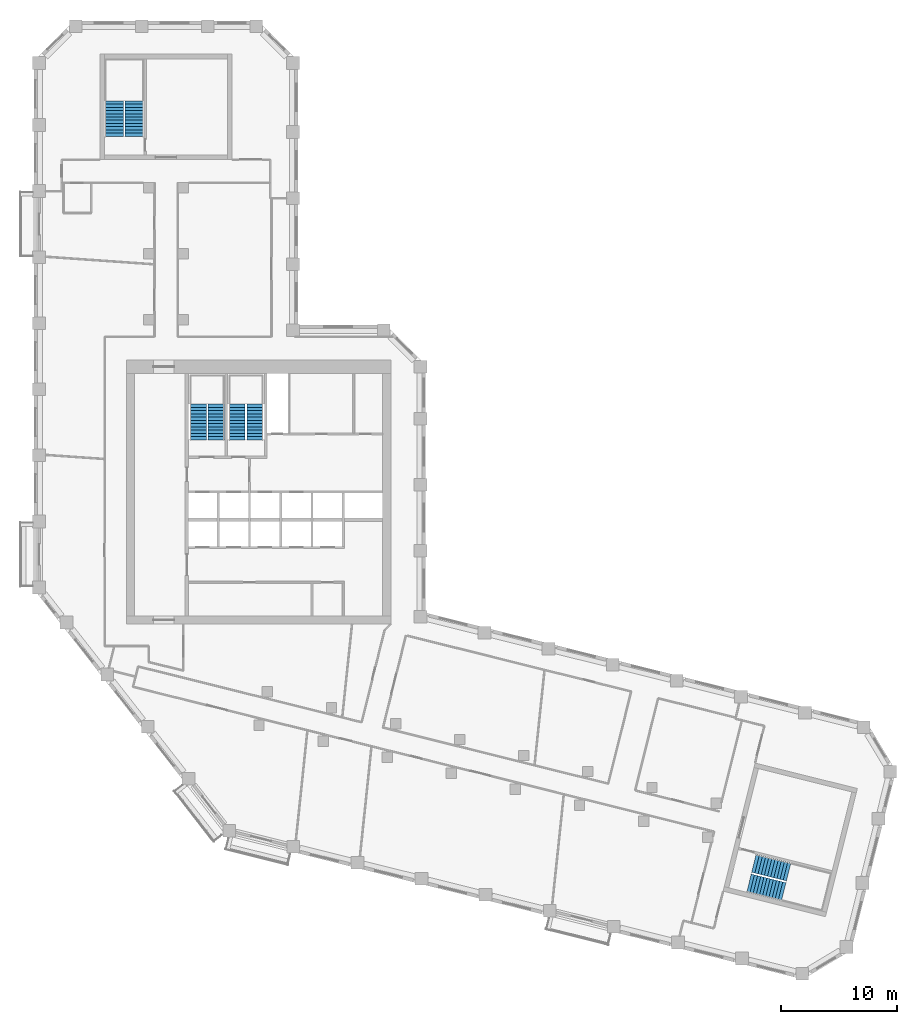
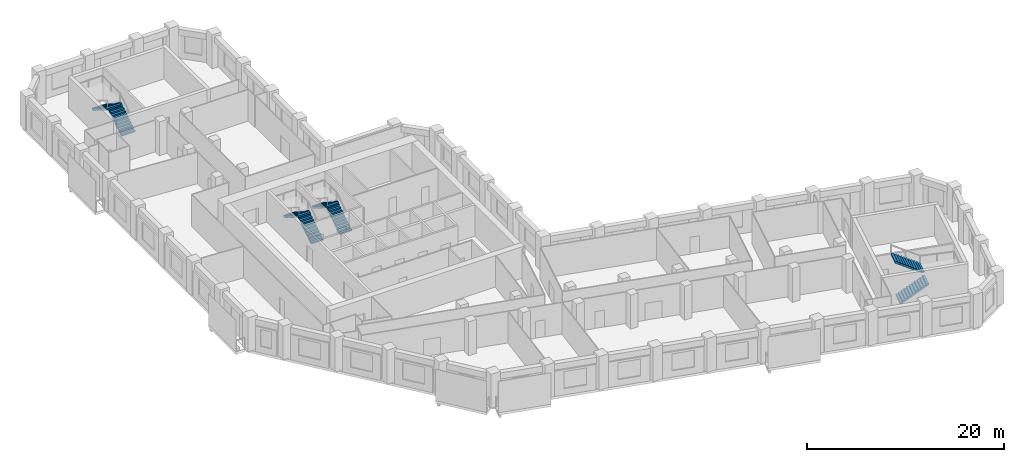
# One storey, part 9 of 10: 8 stair flights, 4 elements without a shape of their own.
"""IFC4 building model written with IfcOpenShell, lengths in metres."""

from ifc_helpers import new_model, si_unit, direction, frame, origin, place, context, subcontext, project, spatial, polyline, outline, extrude, material, type_object, element, aggregate, save


model = new_model("IFC4")

# Units and contexts
model_context = context("Model", 3, precision=1e-05, world=origin(), true_north=direction((0.0, 1.0)))
body_context = subcontext(model_context, "Body", "Model", "MODEL_VIEW")
ifc_project = project(units=[si_unit("LENGTHUNIT", "METRE"), si_unit("AREAUNIT", "SQUARE_METRE"), si_unit("VOLUMEUNIT", "CUBIC_METRE"), si_unit("PLANEANGLEUNIT", "RADIAN"), si_unit("MASSUNIT", "GRAM", prefix="KILO")], contexts=[model_context])

# Site, building, storey
site_placement = place(None, origin())
site = spatial("IfcSite", under=ifc_project, at=site_placement, CompositionType="ELEMENT")
building_placement = place(site_placement, origin())
building = spatial("IfcBuilding", under=site, at=building_placement, Name="Meshkara Civic Tower", CompositionType="ELEMENT")
storey_placement = place(building_placement, frame((0.0, 0.0, 234.0)))
storey = spatial("IfcBuildingStorey", under=building, at=storey_placement, Name="L53", CompositionType="ELEMENT", Elevation=234.0)

# Stair, stair flights
ifc_material_1 = material(Name="Precast concrete C40/50", Category="concrete")
stair_type_1 = type_object("IfcStairType", Name="Exit stair half-turn 24 risers 1600 precast", PredefinedType="HALF_TURN_STAIR", material=ifc_material_1)
stair_1_placement = place(storey_placement, origin())
stair_1 = element("IfcStair", 1, at=stair_1_placement, inside=storey, type_object=stair_type_1, Name="L53 exit stair A from L50", PredefinedType="HALF_TURN_STAIR")
ifc_material_2 = material(Name="Precast concrete C40/50", Category="concrete")
stair_flight_type_1 = type_object("IfcStairFlightType", Name="Exit stair flight 12 risers 1600 precast", PredefinedType="STRAIGHT", material=ifc_material_2)
stair_flight_1_placement = place(storey_placement, frame((8.675048828125, 56.169921875, 0.0), z_axis=(0.0, 0.0, 1.0), x_axis=(0.0, 1.0, 0.0)))
stair_flight_1 = element("IfcStairFlight", 2, at=stair_flight_1_placement, type_object=stair_flight_type_1, Name="ESA4 flight 1", NumberOfRisers=12, NumberOfTreads=11, PredefinedType="STRAIGHT", RiserHeight=0.175, TreadLength=0.28, context=body_context, shape_type="SweptSolid", body=[
    extrude(outline(polyline([(0.0, 0.0), (0.0, 0.175048828125), (0.280029296875, 0.175048828125), (0.280029296875, 0.35009765625), (0.56005859375, 0.35009765625), (0.56005859375, 0.52490234375), (0.840087890625, 0.52490234375), (0.840087890625, 0.699951171875), (1.1201171875, 0.699951171875), (1.1201171875, 0.875), (1.39990234375, 0.875), (1.39990234375, 1.050048828125), (1.679931640625, 1.050048828125), (1.679931640625, 1.22509765625), (1.9599609375, 1.22509765625), (1.9599609375, 1.39990234375), (2.239990234375, 1.39990234375), (2.239990234375, 1.574951171875), (2.52001953125, 1.574951171875), (2.52001953125, 1.75), (2.800048828125, 1.75), (2.800048828125, 1.925048828125), (3.080078125, 1.925048828125), (3.080078125, 2.10009765625), (3.080078125, 1.748291015625), (0.28271484375, 0.0), (0.0, 0.0)])), frame((0.0, 0.800048828125, 0.0), z_axis=(0.0, -1.0, 0.0), x_axis=(1.0, 0.0, 0.0)), (0.0, 0.0, 1.0), 1.60009765625),
])
stair_flight_2_placement = place(storey_placement, frame((6.925048828125, 59.25, 2.10009765625), z_axis=(0.0, 0.0, 1.0), x_axis=(0.0, -1.0, 0.0)))
stair_flight_2 = element("IfcStairFlight", 3, at=stair_flight_2_placement, type_object=stair_flight_type_1, Name="ESA4 flight 2", NumberOfRisers=12, NumberOfTreads=11, PredefinedType="STRAIGHT", RiserHeight=0.175, TreadLength=0.28, context=body_context, shape_type="SweptSolid", body=[
    extrude(outline(polyline([(0.0, 0.0), (0.0, 0.175048828125), (0.280029296875, 0.175048828125), (0.280029296875, 0.35009765625), (0.56005859375, 0.35009765625), (0.56005859375, 0.52490234375), (0.840087890625, 0.52490234375), (0.840087890625, 0.699951171875), (1.1201171875, 0.699951171875), (1.1201171875, 0.875), (1.39990234375, 0.875), (1.39990234375, 1.050048828125), (1.679931640625, 1.050048828125), (1.679931640625, 1.22509765625), (1.9599609375, 1.22509765625), (1.9599609375, 1.39990234375), (2.239990234375, 1.39990234375), (2.239990234375, 1.574951171875), (2.52001953125, 1.574951171875), (2.52001953125, 1.75), (2.800048828125, 1.75), (2.800048828125, 1.925048828125), (3.080078125, 1.925048828125), (3.080078125, 2.10009765625), (3.080078125, 1.748291015625), (0.28271484375, 0.0), (0.0, 0.0)])), frame((0.0, 0.800048828125, 0.0), z_axis=(0.0, -1.0, 0.0), x_axis=(1.0, 0.0, 0.0)), (0.0, 0.0, 1.0), 1.60009765625),
])
aggregate(stair_1, [stair_flight_1, stair_flight_2])

stair_2_placement = place(storey_placement, origin())
stair_2 = element("IfcStair", 4, at=stair_2_placement, inside=storey, type_object=stair_type_1, Name="L53 exit stair B from L50", PredefinedType="HALF_TURN_STAIR")
stair_flight_3_placement = place(storey_placement, frame((61.70751953125, -8.248291015625, 0.0), z_axis=(0.0, 0.0, 1.0), x_axis=(0.970260066579, -0.242064873955, 0.0)))
stair_flight_3 = element("IfcStairFlight", 5, at=stair_flight_3_placement, type_object=stair_flight_type_1, Name="ESB4 flight 1", NumberOfRisers=12, NumberOfTreads=11, PredefinedType="STRAIGHT", RiserHeight=0.175, TreadLength=0.28, context=body_context, shape_type="SweptSolid", body=[
    extrude(outline(polyline([(0.0, 0.0), (0.0, 0.175048828125), (0.280029296875, 0.175048828125), (0.280029296875, 0.35009765625), (0.56005859375, 0.35009765625), (0.56005859375, 0.52490234375), (0.840087890625, 0.52490234375), (0.840087890625, 0.699951171875), (1.1201171875, 0.699951171875), (1.1201171875, 0.875), (1.39990234375, 0.875), (1.39990234375, 1.050048828125), (1.679931640625, 1.050048828125), (1.679931640625, 1.22509765625), (1.9599609375, 1.22509765625), (1.9599609375, 1.39990234375), (2.239990234375, 1.39990234375), (2.239990234375, 1.574951171875), (2.52001953125, 1.574951171875), (2.52001953125, 1.75), (2.800048828125, 1.75), (2.800048828125, 1.925048828125), (3.080078125, 1.925048828125), (3.080078125, 2.10009765625), (3.080078125, 1.748291015625), (0.28271484375, 0.0), (0.0, 0.0)])), frame((0.0, 0.800048828125, 0.0), z_axis=(0.0, -1.0, 0.0), x_axis=(1.0, 0.0, 0.0)), (0.0, 0.0, 1.0), 1.60009765625),
])
stair_flight_4_placement = place(storey_placement, frame((65.11962890625, -7.2958984375, 2.10009765625), z_axis=(0.0, 0.0, 1.0), x_axis=(-0.970260066579, 0.242064873955, 0.0)))
stair_flight_4 = element("IfcStairFlight", 6, at=stair_flight_4_placement, type_object=stair_flight_type_1, Name="ESB4 flight 2", NumberOfRisers=12, NumberOfTreads=11, PredefinedType="STRAIGHT", RiserHeight=0.175, TreadLength=0.28, context=body_context, shape_type="SweptSolid", body=[
    extrude(outline(polyline([(0.0, 0.0), (0.0, 0.175048828125), (0.280029296875, 0.175048828125), (0.280029296875, 0.35009765625), (0.56005859375, 0.35009765625), (0.56005859375, 0.52490234375), (0.840087890625, 0.52490234375), (0.840087890625, 0.699951171875), (1.1201171875, 0.699951171875), (1.1201171875, 0.875), (1.39990234375, 0.875), (1.39990234375, 1.050048828125), (1.679931640625, 1.050048828125), (1.679931640625, 1.22509765625), (1.9599609375, 1.22509765625), (1.9599609375, 1.39990234375), (2.239990234375, 1.39990234375), (2.239990234375, 1.574951171875), (2.52001953125, 1.574951171875), (2.52001953125, 1.75), (2.800048828125, 1.75), (2.800048828125, 1.925048828125), (3.080078125, 1.925048828125), (3.080078125, 2.10009765625), (3.080078125, 1.748291015625), (0.28271484375, 0.0), (0.0, 0.0)])), frame((0.0, 0.800048828125, 0.0), z_axis=(0.0, -1.0, 0.0), x_axis=(1.0, 0.0, 0.0)), (0.0, 0.0, 1.0), 1.60009765625),
])
aggregate(stair_2, [stair_flight_3, stair_flight_4])

ifc_material_3 = material(Name="Precast concrete C40/50", Category="concrete")
stair_type_2 = type_object("IfcStairType", Name="Exit stair half-turn 24 risers precast", PredefinedType="HALF_TURN_STAIR", material=ifc_material_3)
stair_3_placement = place(storey_placement, origin())
stair_3 = element("IfcStair", 7, at=stair_3_placement, inside=storey, type_object=stair_type_2, Name="L53 exit stair 1", PredefinedType="HALF_TURN_STAIR")
ifc_material_4 = material(Name="Precast concrete C40/50", Category="concrete")
stair_flight_type_2 = type_object("IfcStairFlightType", Name="Exit stair flight 12 risers precast", PredefinedType="STRAIGHT", material=ifc_material_4)
stair_flight_5_placement = place(storey_placement, frame((15.72509765625, 30.0, 0.0), z_axis=(0.0, 0.0, 1.0), x_axis=(0.0, 1.0, 0.0)))
stair_flight_5 = element("IfcStairFlight", 8, at=stair_flight_5_placement, type_object=stair_flight_type_2, Name="ST1 flight 1", NumberOfRisers=12, NumberOfTreads=11, PredefinedType="STRAIGHT", RiserHeight=0.175, TreadLength=0.28, context=body_context, shape_type="SweptSolid", body=[
    extrude(outline(polyline([(0.0, 0.0), (0.0, 0.175048828125), (0.280029296875, 0.175048828125), (0.280029296875, 0.35009765625), (0.56005859375, 0.35009765625), (0.56005859375, 0.52490234375), (0.840087890625, 0.52490234375), (0.840087890625, 0.699951171875), (1.1201171875, 0.699951171875), (1.1201171875, 0.875), (1.39990234375, 0.875), (1.39990234375, 1.050048828125), (1.679931640625, 1.050048828125), (1.679931640625, 1.22509765625), (1.9599609375, 1.22509765625), (1.9599609375, 1.39990234375), (2.239990234375, 1.39990234375), (2.239990234375, 1.574951171875), (2.52001953125, 1.574951171875), (2.52001953125, 1.75), (2.800048828125, 1.75), (2.800048828125, 1.925048828125), (3.080078125, 1.925048828125), (3.080078125, 2.10009765625), (3.080078125, 1.748291015625), (0.28271484375, 0.0), (0.0, 0.0)])), frame((0.0, 0.699951171875, 0.0), z_axis=(0.0, -1.0, 0.0), x_axis=(1.0, 0.0, 0.0)), (0.0, 0.0, 1.0), 1.39990234375),
])
stair_flight_6_placement = place(storey_placement, frame((14.175048828125, 33.080078125, 2.10009765625), z_axis=(0.0, 0.0, 1.0), x_axis=(0.0, -1.0, 0.0)))
stair_flight_6 = element("IfcStairFlight", 9, at=stair_flight_6_placement, type_object=stair_flight_type_2, Name="ST1 flight 2", NumberOfRisers=12, NumberOfTreads=11, PredefinedType="STRAIGHT", RiserHeight=0.175, TreadLength=0.28, context=body_context, shape_type="SweptSolid", body=[
    extrude(outline(polyline([(0.0, 0.0), (0.0, 0.175048828125), (0.280029296875, 0.175048828125), (0.280029296875, 0.35009765625), (0.56005859375, 0.35009765625), (0.56005859375, 0.52490234375), (0.840087890625, 0.52490234375), (0.840087890625, 0.699951171875), (1.1201171875, 0.699951171875), (1.1201171875, 0.875), (1.39990234375, 0.875), (1.39990234375, 1.050048828125), (1.679931640625, 1.050048828125), (1.679931640625, 1.22509765625), (1.9599609375, 1.22509765625), (1.9599609375, 1.39990234375), (2.239990234375, 1.39990234375), (2.239990234375, 1.574951171875), (2.52001953125, 1.574951171875), (2.52001953125, 1.75), (2.800048828125, 1.75), (2.800048828125, 1.925048828125), (3.080078125, 1.925048828125), (3.080078125, 2.10009765625), (3.080078125, 1.748291015625), (0.28271484375, 0.0), (0.0, 0.0)])), frame((0.0, 0.699951171875, 0.0), z_axis=(0.0, -1.0, 0.0), x_axis=(1.0, 0.0, 0.0)), (0.0, 0.0, 1.0), 1.39990234375),
])
aggregate(stair_3, [stair_flight_5, stair_flight_6])

stair_4_placement = place(storey_placement, origin())
stair_4 = element("IfcStair", 10, at=stair_4_placement, inside=storey, type_object=stair_type_2, Name="L53 exit stair 2", PredefinedType="HALF_TURN_STAIR")
stair_flight_7_placement = place(storey_placement, frame((19.074951171875, 30.0, 0.0), z_axis=(0.0, 0.0, 1.0), x_axis=(0.0, 1.0, 0.0)))
stair_flight_7 = element("IfcStairFlight", 11, at=stair_flight_7_placement, type_object=stair_flight_type_2, Name="ST2 flight 1", NumberOfRisers=12, NumberOfTreads=11, PredefinedType="STRAIGHT", RiserHeight=0.175, TreadLength=0.28, context=body_context, shape_type="SweptSolid", body=[
    extrude(outline(polyline([(0.0, 0.0), (0.0, 0.175048828125), (0.280029296875, 0.175048828125), (0.280029296875, 0.35009765625), (0.56005859375, 0.35009765625), (0.56005859375, 0.52490234375), (0.840087890625, 0.52490234375), (0.840087890625, 0.699951171875), (1.1201171875, 0.699951171875), (1.1201171875, 0.875), (1.39990234375, 0.875), (1.39990234375, 1.050048828125), (1.679931640625, 1.050048828125), (1.679931640625, 1.22509765625), (1.9599609375, 1.22509765625), (1.9599609375, 1.39990234375), (2.239990234375, 1.39990234375), (2.239990234375, 1.574951171875), (2.52001953125, 1.574951171875), (2.52001953125, 1.75), (2.800048828125, 1.75), (2.800048828125, 1.925048828125), (3.080078125, 1.925048828125), (3.080078125, 2.10009765625), (3.080078125, 1.748291015625), (0.28271484375, 0.0), (0.0, 0.0)])), frame((0.0, 0.699951171875, 0.0), z_axis=(0.0, -1.0, 0.0), x_axis=(1.0, 0.0, 0.0)), (0.0, 0.0, 1.0), 1.39990234375),
])
stair_flight_8_placement = place(storey_placement, frame((17.52490234375, 33.080078125, 2.10009765625), z_axis=(0.0, 0.0, 1.0), x_axis=(0.0, -1.0, 0.0)))
stair_flight_8 = element("IfcStairFlight", 12, at=stair_flight_8_placement, type_object=stair_flight_type_2, Name="ST2 flight 2", NumberOfRisers=12, NumberOfTreads=11, PredefinedType="STRAIGHT", RiserHeight=0.175, TreadLength=0.28, context=body_context, shape_type="SweptSolid", body=[
    extrude(outline(polyline([(0.0, 0.0), (0.0, 0.175048828125), (0.280029296875, 0.175048828125), (0.280029296875, 0.35009765625), (0.56005859375, 0.35009765625), (0.56005859375, 0.52490234375), (0.840087890625, 0.52490234375), (0.840087890625, 0.699951171875), (1.1201171875, 0.699951171875), (1.1201171875, 0.875), (1.39990234375, 0.875), (1.39990234375, 1.050048828125), (1.679931640625, 1.050048828125), (1.679931640625, 1.22509765625), (1.9599609375, 1.22509765625), (1.9599609375, 1.39990234375), (2.239990234375, 1.39990234375), (2.239990234375, 1.574951171875), (2.52001953125, 1.574951171875), (2.52001953125, 1.75), (2.800048828125, 1.75), (2.800048828125, 1.925048828125), (3.080078125, 1.925048828125), (3.080078125, 2.10009765625), (3.080078125, 1.748291015625), (0.28271484375, 0.0), (0.0, 0.0)])), frame((0.0, 0.699951171875, 0.0), z_axis=(0.0, -1.0, 0.0), x_axis=(1.0, 0.0, 0.0)), (0.0, 0.0, 1.0), 1.39990234375),
])
aggregate(stair_4, [stair_flight_7, stair_flight_8])

save(model, "model.ifc")
